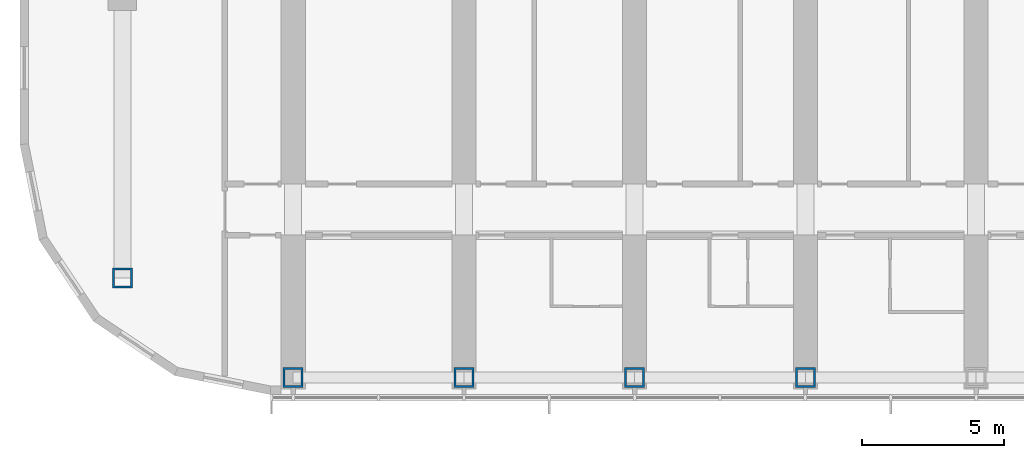
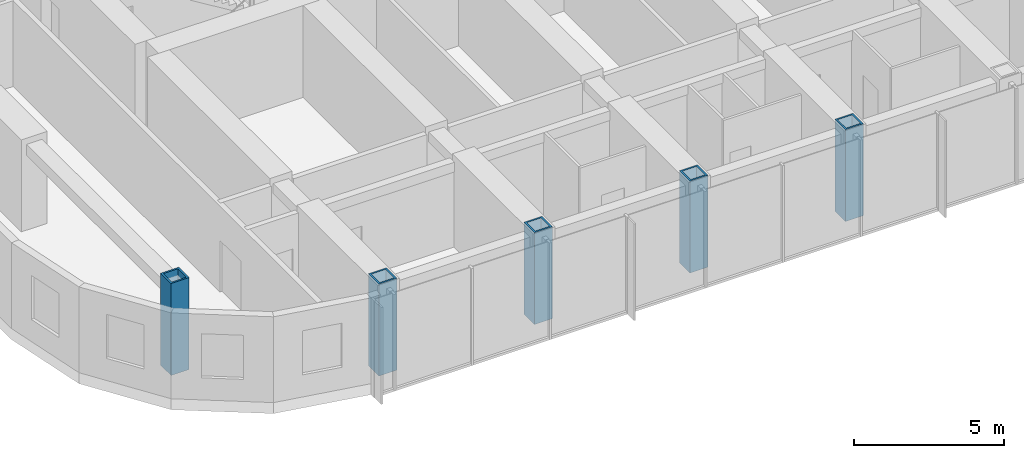
# One storey, part 1 of 29: 5 columns.
"""IFC4 building model written with IfcOpenShell, lengths in metres."""

from ifc_helpers import new_model, si_unit, direction, frame, origin, origin_2d, place, context, subcontext, project, spatial, hollow_rectangle, extrude, material, material_profile, profile_set, type_object, element, save


model = new_model("IFC4")

# Units and contexts
model_context = context("Model", 3, precision=1e-05, world=origin(), true_north=direction((0.0, 1.0)))
body_context = subcontext(model_context, "Body", "Model", "MODEL_VIEW")
ifc_project = project(units=[si_unit("LENGTHUNIT", "METRE"), si_unit("AREAUNIT", "SQUARE_METRE"), si_unit("VOLUMEUNIT", "CUBIC_METRE"), si_unit("PLANEANGLEUNIT", "RADIAN"), si_unit("MASSUNIT", "GRAM", prefix="KILO")], contexts=[model_context])

# Site, building, storey
site_placement = place(None, origin())
site = spatial("IfcSite", under=ifc_project, at=site_placement, CompositionType="ELEMENT")
building_placement = place(site_placement, origin())
building = spatial("IfcBuilding", under=site, at=building_placement, Name="Orbita Commons", CompositionType="ELEMENT")
storey_placement = place(building_placement, frame((0.0, 0.0, 148.60009765625)))
storey = spatial("IfcBuildingStorey", under=building, at=storey_placement, Name="L36", CompositionType="ELEMENT", Elevation=148.60009765625)

# Columns
ifc_material = material(Name="Steel ASTM A572 Gr 50 welded plate", Category="steel")
ifc_material_profile = material_profile(ifc_material, hollow_rectangle(XDim=0.699951171875, YDim=0.699951171875, WallThickness=0.070068359375, at=origin_2d()), Name="BOX 700x700x70")
ifc_profile_set = profile_set([ifc_material_profile], Name="Steel ASTM A572 Gr 50 welded plate")
column_type = type_object("IfcColumnType", Name="Steel column BOX 700x700x70", PredefinedType="COLUMN", material=ifc_profile_set)
for number, where, z_axis, x_axis, name in (
    (1, (18.0, 10.39990234375, 0.0), (0.0, 0.0, 1.0), (1.0, 0.0, 0.0), "Column 4/B L36"),
    (2, (24.0, 10.39990234375, 0.0), (0.0, 0.0, 1.0), (1.0, 0.0, 0.0), "Column 5/B L36"),
    (3, (30.0, 10.39990234375, 0.0), (0.0, 0.0, 1.0), (1.0, 0.0, 0.0), "Column 6/B L36"),
    (4, (36.0, 10.39990234375, 0.0), (0.0, 0.0, 1.0), (1.0, 0.0, 0.0), "Column 7/B L36"),
    (5, (12.0, 13.89990234375, 0.0), (0.0, 0.0, 1.0), (1.0, 0.0, 0.0), "Column 3/13.9 L36"),
):
    element("IfcColumn", number, at=place(storey_placement, frame(where, z_axis=z_axis, x_axis=x_axis)), inside=storey, type_object=column_type, Name=name, PredefinedType="COLUMN", context=body_context, shape_type="SweptSolid", body=[
        extrude(hollow_rectangle(XDim=0.699951171875, YDim=0.699951171875, WallThickness=0.070068359375, at=origin_2d()), origin(), (0.0, 0.0, 1.0), 3.75),
    ])

save(model, "model.ifc")
